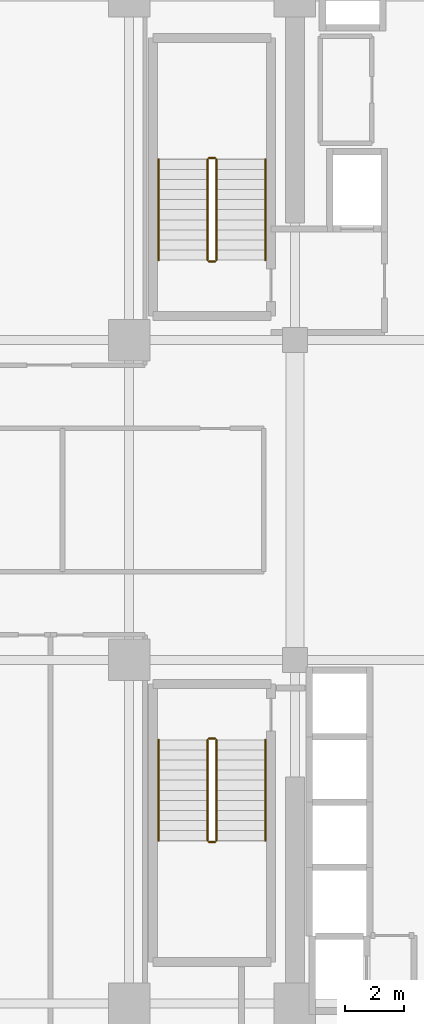
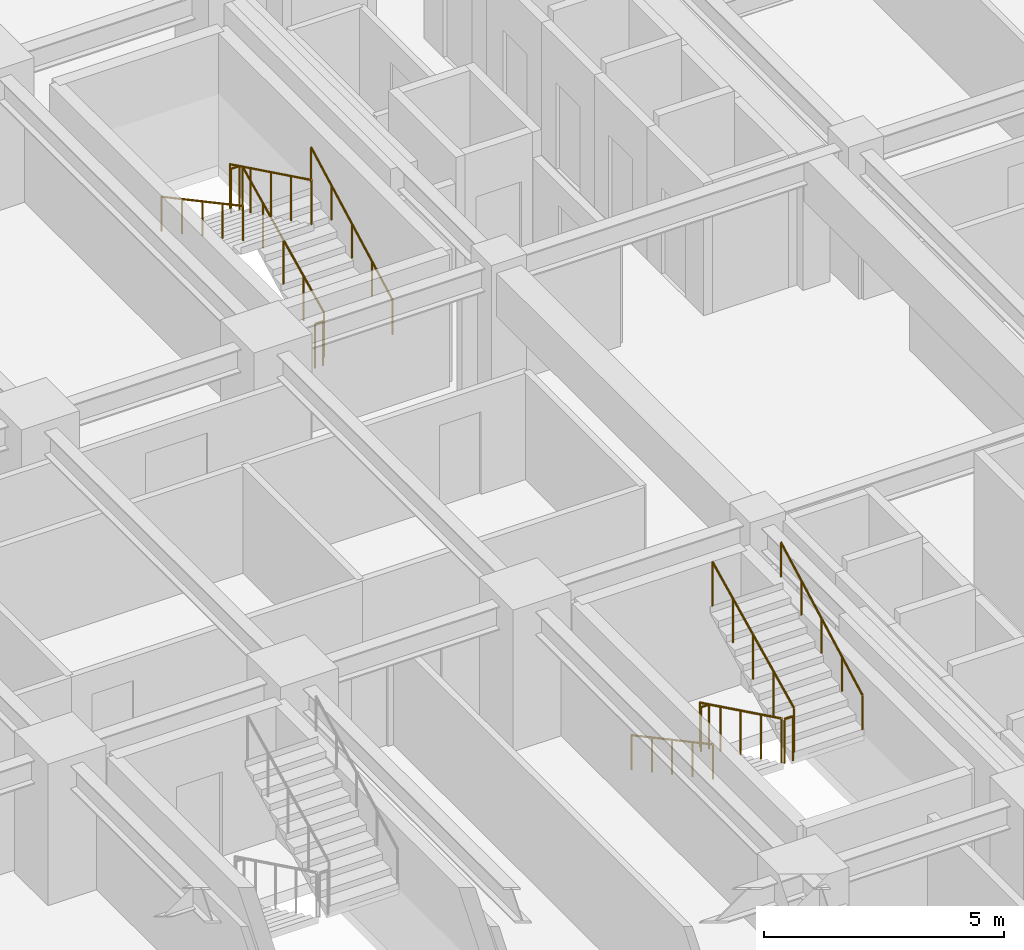
# One storey, part 36 of 37: 12 railings.
"""IFC4 building model written with IfcOpenShell, lengths in metres."""

from ifc_helpers import new_model, si_unit, direction, frame, origin, origin_2d, place, context, subcontext, project, spatial, circle, extrude, material, type_object, element, save


model = new_model("IFC4")

# Units and contexts
model_context = context("Model", 3, precision=1e-05, world=origin(), true_north=direction((0.0, 1.0)))
body_context = subcontext(model_context, "Body", "Model", "MODEL_VIEW")
ifc_project = project(units=[si_unit("LENGTHUNIT", "METRE"), si_unit("AREAUNIT", "SQUARE_METRE"), si_unit("VOLUMEUNIT", "CUBIC_METRE"), si_unit("PLANEANGLEUNIT", "RADIAN"), si_unit("MASSUNIT", "GRAM", prefix="KILO")], contexts=[model_context])

# Site, building, storey
site_placement = place(None, origin())
site = spatial("IfcSite", under=ifc_project, at=site_placement, CompositionType="ELEMENT")
building_placement = place(site_placement, origin())
building = spatial("IfcBuilding", under=site, at=building_placement, Name="Nahalor Promenade Grand Hotel", CompositionType="ELEMENT")
storey_placement = place(building_placement, frame((0.0, 0.0, 36.050048828125)))
storey = spatial("IfcBuildingStorey", under=building, at=storey_placement, Name="L07", CompositionType="ELEMENT", Elevation=36.050048828125)

# Railings
ifc_material = material(Name="Steel S355JR", Category="steel")
railing_type_1 = type_object("IfcRailingType", Name="Steel Stair Guardrail 1150 mm", PredefinedType="GUARDRAIL", material=ifc_material)
railing_1_placement = place(storey_placement, frame((5.75, 8.10009765625, 0.165771484375)))
element("IfcRailing", 1, at=railing_1_placement, inside=storey, type_object=railing_type_1, Name="L07 ST1 stair guard 1", PredefinedType="GUARDRAIL", context=body_context, shape_type="SweptSolid", body=[
    extrude(circle(Radius=0.024048, at=origin_2d()), frame((0.0, 0.0, 1.1259765625), z_axis=(0.0, 0.898696488221, 0.438571114028), x_axis=(-1.0, 0.0, 0.0)), (0.0, 0.0, 1.0), 3.783203125),
    extrude(circle(Radius=0.020996, at=origin_2d()), origin(), (0.0, 0.0, 1.0), 1.099853515625),
    extrude(circle(Radius=0.020996, at=origin_2d()), frame((0.0, 0.85009765625, 0.414794921875)), (0.0, 0.0, 1.0), 1.099853515625),
    extrude(circle(Radius=0.020996, at=origin_2d()), frame((0.0, 1.699951171875, 0.82958984375)), (0.0, 0.0, 1.0), 1.099853515625),
    extrude(circle(Radius=0.020996, at=origin_2d()), frame((0.0, 2.5498046875, 1.244384765625)), (0.0, 0.0, 1.0), 1.099853515625),
    extrude(circle(Radius=0.020996, at=origin_2d()), frame((0.0, 3.39990234375, 1.6591796875)), (0.0, 0.0, 1.0), 1.099853515625),
])
railing_2_placement = place(storey_placement, frame((5.699951171875, 11.550048828125, 1.824951171875)))
element("IfcRailing", 2, at=railing_2_placement, inside=storey, type_object=railing_type_1, Name="L07 ST1 stair guard 2", PredefinedType="GUARDRAIL", context=body_context, shape_type="SweptSolid", body=[
    extrude(circle(Radius=0.024048, at=origin_2d()), frame((0.0, 0.0, 1.1259765625), z_axis=(-1.0, 0.0, 0.0), x_axis=(0.0, -1.0, 0.0)), (0.0, 0.0, 1.0), 0.199951171875),
    extrude(circle(Radius=0.020996, at=origin_2d()), origin(), (0.0, 0.0, 1.0), 1.099853515625),
    extrude(circle(Radius=0.020996, at=origin_2d()), frame((-0.199951171875, 0.0, 0.0)), (0.0, 0.0, 1.0), 1.099853515625),
])
railing_3_placement = place(storey_placement, frame((5.449951171875, 11.5, 1.990966796875)))
element("IfcRailing", 3, at=railing_3_placement, inside=storey, type_object=railing_type_1, Name="L07 ST1 stair guard 3", PredefinedType="GUARDRAIL", context=body_context, shape_type="SweptSolid", body=[
    extrude(circle(Radius=0.024048, at=origin_2d()), frame((0.0, 0.0, 1.1259765625), z_axis=(0.0, -0.898721922897, 0.438518990814), x_axis=(1.0, 0.0, 0.0)), (0.0, 0.0, 1.0), 3.782958984375),
    extrude(circle(Radius=0.020996, at=origin_2d()), origin(), (0.0, 0.0, 1.0), 1.099853515625),
    extrude(circle(Radius=0.020996, at=origin_2d()), frame((0.0, -0.85009765625, 0.414794921875)), (0.0, 0.0, 1.0), 1.099853515625),
    extrude(circle(Radius=0.020996, at=origin_2d()), frame((0.0, -1.699951171875, 0.82958984375)), (0.0, 0.0, 1.0), 1.099853515625),
    extrude(circle(Radius=0.020996, at=origin_2d()), frame((0.0, -2.5498046875, 1.244140625)), (0.0, 0.0, 1.0), 1.099853515625),
    extrude(circle(Radius=0.020996, at=origin_2d()), frame((0.0, -3.39990234375, 1.658935546875)), (0.0, 0.0, 1.0), 1.099853515625),
])
railing_4_placement = place(storey_placement, frame((5.699951171875, 8.050048828125, 0.0)))
element("IfcRailing", 4, at=railing_4_placement, inside=storey, type_object=railing_type_1, Name="L07 ST1 stair guard 4", PredefinedType="GUARDRAIL", context=body_context, shape_type="SweptSolid", body=[
    extrude(circle(Radius=0.024048, at=origin_2d()), frame((0.0, 0.0, 1.1259765625), z_axis=(-1.0, 0.0, 0.0), x_axis=(0.0, -1.0, 0.0)), (0.0, 0.0, 1.0), 0.199951171875),
    extrude(circle(Radius=0.020996, at=origin_2d()), origin(), (0.0, 0.0, 1.0), 1.099853515625),
    extrude(circle(Radius=0.020996, at=origin_2d()), frame((-0.199951171875, 0.0, 0.0)), (0.0, 0.0, 1.0), 1.099853515625),
])
railing_5_placement = place(storey_placement, frame((5.449951171875, -8.10009765625, 0.165771484375)))
element("IfcRailing", 5, at=railing_5_placement, inside=storey, type_object=railing_type_1, Name="L07 ST2 stair guard 1", PredefinedType="GUARDRAIL", context=body_context, shape_type="SweptSolid", body=[
    extrude(circle(Radius=0.024048, at=origin_2d()), frame((0.0, 0.0, 1.1259765625), z_axis=(0.0, -0.898696488221, 0.438571114028), x_axis=(1.0, 0.0, 0.0)), (0.0, 0.0, 1.0), 3.783203125),
    extrude(circle(Radius=0.020996, at=origin_2d()), origin(), (0.0, 0.0, 1.0), 1.099853515625),
    extrude(circle(Radius=0.020996, at=origin_2d()), frame((0.0, -0.85009765625, 0.414794921875)), (0.0, 0.0, 1.0), 1.099853515625),
    extrude(circle(Radius=0.020996, at=origin_2d()), frame((0.0, -1.699951171875, 0.82958984375)), (0.0, 0.0, 1.0), 1.099853515625),
    extrude(circle(Radius=0.020996, at=origin_2d()), frame((0.0, -2.5498046875, 1.244384765625)), (0.0, 0.0, 1.0), 1.099853515625),
    extrude(circle(Radius=0.020996, at=origin_2d()), frame((0.0, -3.39990234375, 1.6591796875)), (0.0, 0.0, 1.0), 1.099853515625),
])
railing_6_placement = place(storey_placement, frame((5.5, -11.550048828125, 1.824951171875)))
element("IfcRailing", 6, at=railing_6_placement, inside=storey, type_object=railing_type_1, Name="L07 ST2 stair guard 2", PredefinedType="GUARDRAIL", context=body_context, shape_type="SweptSolid", body=[
    extrude(circle(Radius=0.024048, at=origin_2d()), frame((0.0, 0.0, 1.1259765625), z_axis=(1.0, 0.0, 0.0), x_axis=(0.0, 1.0, 0.0)), (0.0, 0.0, 1.0), 0.199951171875),
    extrude(circle(Radius=0.020996, at=origin_2d()), origin(), (0.0, 0.0, 1.0), 1.099853515625),
    extrude(circle(Radius=0.020996, at=origin_2d()), frame((0.199951171875, 0.0, 0.0)), (0.0, 0.0, 1.0), 1.099853515625),
])
railing_7_placement = place(storey_placement, frame((5.75, -11.5, 1.990966796875)))
element("IfcRailing", 7, at=railing_7_placement, inside=storey, type_object=railing_type_1, Name="L07 ST2 stair guard 3", PredefinedType="GUARDRAIL", context=body_context, shape_type="SweptSolid", body=[
    extrude(circle(Radius=0.024048, at=origin_2d()), frame((0.0, 0.0, 1.1259765625), z_axis=(0.0, 0.898721922897, 0.438518990814), x_axis=(-1.0, 0.0, 0.0)), (0.0, 0.0, 1.0), 3.782958984375),
    extrude(circle(Radius=0.020996, at=origin_2d()), origin(), (0.0, 0.0, 1.0), 1.099853515625),
    extrude(circle(Radius=0.020996, at=origin_2d()), frame((0.0, 0.85009765625, 0.414794921875)), (0.0, 0.0, 1.0), 1.099853515625),
    extrude(circle(Radius=0.020996, at=origin_2d()), frame((0.0, 1.699951171875, 0.82958984375)), (0.0, 0.0, 1.0), 1.099853515625),
    extrude(circle(Radius=0.020996, at=origin_2d()), frame((0.0, 2.5498046875, 1.244140625)), (0.0, 0.0, 1.0), 1.099853515625),
    extrude(circle(Radius=0.020996, at=origin_2d()), frame((0.0, 3.39990234375, 1.658935546875)), (0.0, 0.0, 1.0), 1.099853515625),
])
railing_8_placement = place(storey_placement, frame((5.5, -8.050048828125, 0.0)))
element("IfcRailing", 8, at=railing_8_placement, inside=storey, type_object=railing_type_1, Name="L07 ST2 stair guard 4", PredefinedType="GUARDRAIL", context=body_context, shape_type="SweptSolid", body=[
    extrude(circle(Radius=0.024048, at=origin_2d()), frame((0.0, 0.0, 1.1259765625), z_axis=(1.0, 0.0, 0.0), x_axis=(0.0, 1.0, 0.0)), (0.0, 0.0, 1.0), 0.199951171875),
    extrude(circle(Radius=0.020996, at=origin_2d()), origin(), (0.0, 0.0, 1.0), 1.099853515625),
    extrude(circle(Radius=0.020996, at=origin_2d()), frame((0.199951171875, 0.0, 0.0)), (0.0, 0.0, 1.0), 1.099853515625),
])
railing_type_2 = type_object("IfcRailingType", Name="Steel Stair Handrail 900 mm", PredefinedType="HANDRAIL", material=ifc_material)
railing_9_placement = place(storey_placement, frame((7.39990234375, 8.10009765625, 0.165771484375)))
element("IfcRailing", 9, at=railing_9_placement, inside=storey, type_object=railing_type_2, Name="L07 ST1 stair handrail 1", PredefinedType="HANDRAIL", context=body_context, shape_type="SweptSolid", body=[
    extrude(circle(Radius=0.024048, at=origin_2d()), frame((0.0, 0.0, 0.8759765625), z_axis=(0.0, 0.881067672671, 0.472990228413), x_axis=(-1.0, 0.0, 0.0)), (0.0, 0.0, 1.0), 3.85888671875),
    extrude(circle(Radius=0.020996, at=origin_2d()), origin(), (0.0, 0.0, 1.0), 0.849853515625),
    extrude(circle(Radius=0.020996, at=origin_2d()), frame((0.0, 0.85009765625, 0.456298828125)), (0.0, 0.0, 1.0), 0.849853515625),
    extrude(circle(Radius=0.020996, at=origin_2d()), frame((0.0, 1.699951171875, 0.91259765625)), (0.0, 0.0, 1.0), 0.849853515625),
    extrude(circle(Radius=0.020996, at=origin_2d()), frame((0.0, 2.5498046875, 1.368896484375)), (0.0, 0.0, 1.0), 0.849853515625),
    extrude(circle(Radius=0.020996, at=origin_2d()), frame((0.0, 3.39990234375, 1.8251953125)), (0.0, 0.0, 1.0), 0.849853515625),
])
railing_10_placement = place(storey_placement, frame((3.800048828125, 11.5, 1.990966796875)))
element("IfcRailing", 10, at=railing_10_placement, inside=storey, type_object=railing_type_2, Name="L07 ST1 stair handrail 2", PredefinedType="HANDRAIL", context=body_context, shape_type="SweptSolid", body=[
    extrude(circle(Radius=0.024048, at=origin_2d()), frame((0.0, 0.0, 0.8759765625), z_axis=(0.0, -0.881094038095, 0.47294111265), x_axis=(1.0, 0.0, 0.0)), (0.0, 0.0, 1.0), 3.858642578125),
    extrude(circle(Radius=0.020996, at=origin_2d()), origin(), (0.0, 0.0, 1.0), 0.849853515625),
    extrude(circle(Radius=0.020996, at=origin_2d()), frame((0.0, -0.85009765625, 0.456298828125)), (0.0, 0.0, 1.0), 0.849853515625),
    extrude(circle(Radius=0.020996, at=origin_2d()), frame((0.0, -1.699951171875, 0.91259765625)), (0.0, 0.0, 1.0), 0.849853515625),
    extrude(circle(Radius=0.020996, at=origin_2d()), frame((0.0, -2.5498046875, 1.36865234375)), (0.0, 0.0, 1.0), 0.849853515625),
    extrude(circle(Radius=0.020996, at=origin_2d()), frame((0.0, -3.39990234375, 1.824951171875)), (0.0, 0.0, 1.0), 0.849853515625),
])
railing_11_placement = place(storey_placement, frame((3.800048828125, -8.10009765625, 0.165771484375)))
element("IfcRailing", 11, at=railing_11_placement, inside=storey, type_object=railing_type_2, Name="L07 ST2 stair handrail 1", PredefinedType="HANDRAIL", context=body_context, shape_type="SweptSolid", body=[
    extrude(circle(Radius=0.024048, at=origin_2d()), frame((0.0, 0.0, 0.8759765625), z_axis=(0.0, -0.881067672671, 0.472990228413), x_axis=(1.0, 0.0, 0.0)), (0.0, 0.0, 1.0), 3.85888671875),
    extrude(circle(Radius=0.020996, at=origin_2d()), origin(), (0.0, 0.0, 1.0), 0.849853515625),
    extrude(circle(Radius=0.020996, at=origin_2d()), frame((0.0, -0.85009765625, 0.456298828125)), (0.0, 0.0, 1.0), 0.849853515625),
    extrude(circle(Radius=0.020996, at=origin_2d()), frame((0.0, -1.699951171875, 0.91259765625)), (0.0, 0.0, 1.0), 0.849853515625),
    extrude(circle(Radius=0.020996, at=origin_2d()), frame((0.0, -2.5498046875, 1.368896484375)), (0.0, 0.0, 1.0), 0.849853515625),
    extrude(circle(Radius=0.020996, at=origin_2d()), frame((0.0, -3.39990234375, 1.8251953125)), (0.0, 0.0, 1.0), 0.849853515625),
])
railing_12_placement = place(storey_placement, frame((7.39990234375, -11.5, 1.990966796875)))
element("IfcRailing", 12, at=railing_12_placement, inside=storey, type_object=railing_type_2, Name="L07 ST2 stair handrail 2", PredefinedType="HANDRAIL", context=body_context, shape_type="SweptSolid", body=[
    extrude(circle(Radius=0.024048, at=origin_2d()), frame((0.0, 0.0, 0.8759765625), z_axis=(0.0, 0.881094038095, 0.47294111265), x_axis=(-1.0, 0.0, 0.0)), (0.0, 0.0, 1.0), 3.858642578125),
    extrude(circle(Radius=0.020996, at=origin_2d()), origin(), (0.0, 0.0, 1.0), 0.849853515625),
    extrude(circle(Radius=0.020996, at=origin_2d()), frame((0.0, 0.85009765625, 0.456298828125)), (0.0, 0.0, 1.0), 0.849853515625),
    extrude(circle(Radius=0.020996, at=origin_2d()), frame((0.0, 1.699951171875, 0.91259765625)), (0.0, 0.0, 1.0), 0.849853515625),
    extrude(circle(Radius=0.020996, at=origin_2d()), frame((0.0, 2.5498046875, 1.36865234375)), (0.0, 0.0, 1.0), 0.849853515625),
    extrude(circle(Radius=0.020996, at=origin_2d()), frame((0.0, 3.39990234375, 1.824951171875)), (0.0, 0.0, 1.0), 0.849853515625),
])

save(model, "model.ifc")
